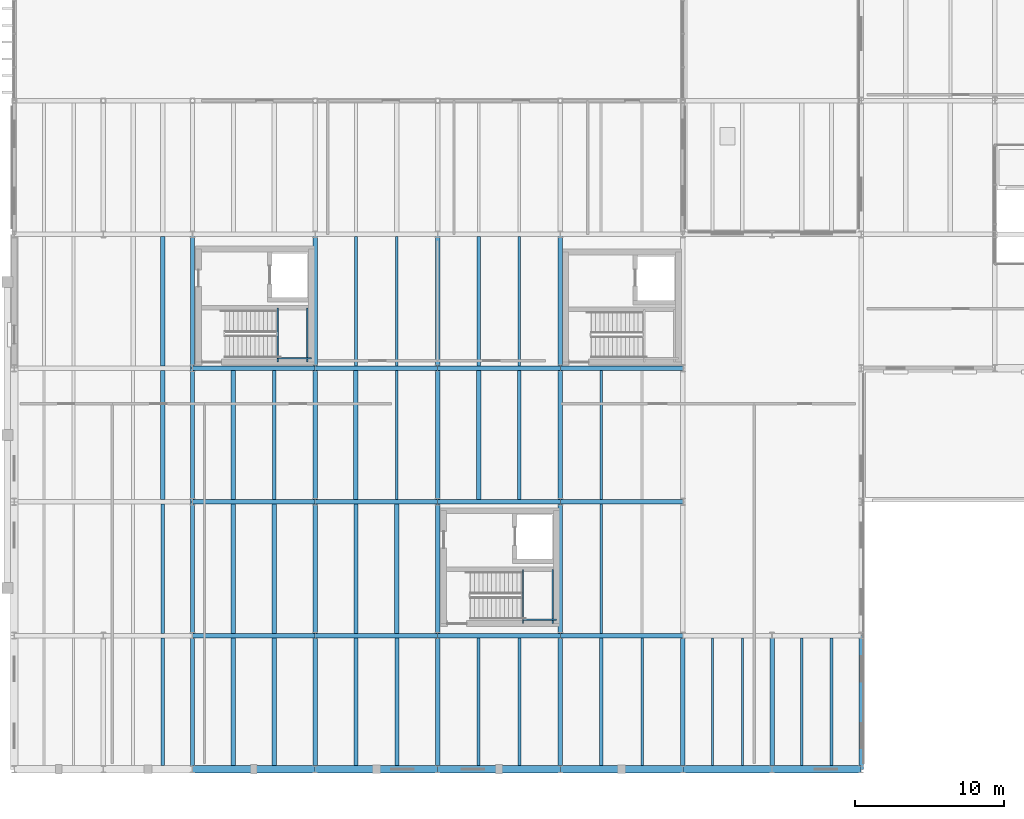
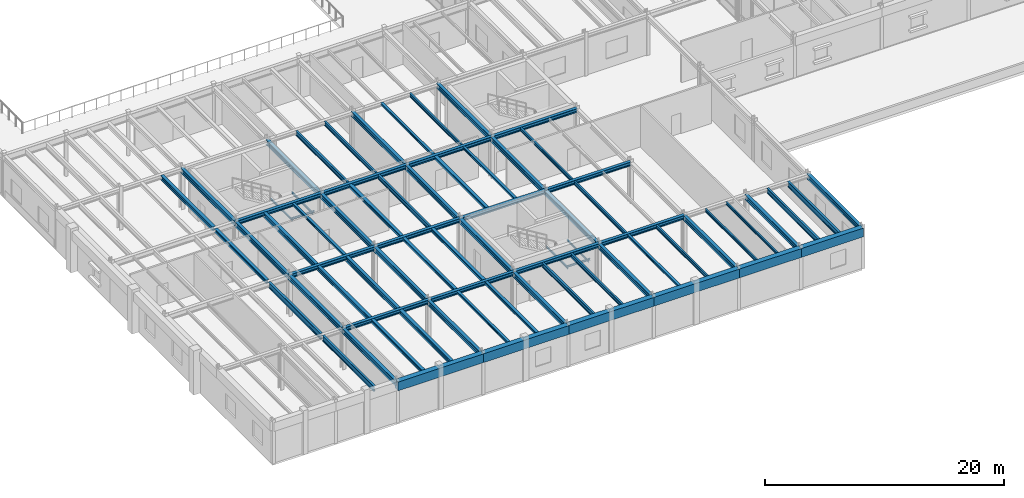
# One storey, part 20 of 64: 75 beams.
"""IFC4 building model written with IfcOpenShell, lengths in metres."""

from ifc_helpers import new_model, si_unit, direction, frame, origin, origin_2d, place, context, subcontext, project, spatial, rectangle, i_section, extrude, material, material_profile, profile_set, type_object, element, save


model = new_model("IFC4")

# Units and contexts
model_context = context("Model", 3, precision=1e-05, world=origin(), true_north=direction((0.0, 1.0)))
body_context = subcontext(model_context, "Body", "Model", "MODEL_VIEW")
ifc_project = project(units=[si_unit("LENGTHUNIT", "METRE"), si_unit("AREAUNIT", "SQUARE_METRE"), si_unit("VOLUMEUNIT", "CUBIC_METRE"), si_unit("PLANEANGLEUNIT", "RADIAN"), si_unit("MASSUNIT", "GRAM", prefix="KILO")], contexts=[model_context])

# Site, building, storey
site_placement = place(None, origin())
site = spatial("IfcSite", under=ifc_project, at=site_placement, CompositionType="ELEMENT")
building_placement = place(site_placement, origin())
building = spatial("IfcBuilding", under=site, at=building_placement, Name="Montealbar Specialist Clinic", CompositionType="ELEMENT")
storey_placement = place(building_placement, frame((0.0, 0.0, 5.10009765625)))
storey = spatial("IfcBuildingStorey", under=building, at=storey_placement, Name="L01", CompositionType="ELEMENT", Elevation=5.10009765625)

# Beams
ifc_material_1 = material(Name="Precast concrete C40/50", Category="concrete")
ifc_material_profile_1 = material_profile(ifc_material_1, rectangle(XDim=0.5, YDim=0.89990234375, at=origin_2d()), Name="PRECAST CORNICE 500x900", Category="concrete")
ifc_profile_set_1 = profile_set([ifc_material_profile_1], Name="Precast concrete C40/50")
beam_type_1 = type_object("IfcBeamType", Name="BM-CORNICE-PM900-EXT", PredefinedType="SPANDREL", material=ifc_profile_set_1)
for number, where, z_axis, x_axis, name in (
    (1, (66.0, 0.0, 3.72998046875), (1.0, 0.0, 0.0), (0.0, 1.0, 0.0), "Postmodern Entablature Cornice L01 Y=0.0 X=66.0-74.2"),
    (2, (74.25, 0.0, 3.72998046875), (1.0, 0.0, 0.0), (0.0, 1.0, 0.0), "Postmodern Entablature Cornice L01 Y=0.0 X=74.2-82.5"),
    (3, (82.5, 0.0, 3.72998046875), (1.0, 0.0, 0.0), (0.0, 1.0, 0.0), "Postmodern Entablature Cornice L01 Y=0.0 X=82.5-90.8"),
    (4, (90.75, 0.0, 3.72998046875), (1.0, 0.0, 0.0), (0.0, 1.0, 0.0), "Postmodern Entablature Cornice L01 Y=0.0 X=90.8-99.0"),
):
    element("IfcBeam", number, at=place(storey_placement, frame(where, z_axis=z_axis, x_axis=x_axis)), inside=storey, type_object=beam_type_1, Name=name, PredefinedType="SPANDREL", context=body_context, shape_type="SweptSolid", body=[
        extrude(rectangle(XDim=0.5, YDim=0.89990234375, at=origin_2d()), origin(), (0.0, 0.0, 1.0), 8.25),
    ])
for number, where, z_axis, x_axis, name in (
    (5, (99.0, 0.0, 3.72998046875), (1.0, 0.0, 0.0), (0.0, 1.0, 0.0), "Postmodern Entablature Cornice L01 Y=0.0 X=99.0-105.0"),
    (6, (105.0, 0.0, 3.72998046875), (1.0, 0.0, 0.0), (0.0, 1.0, 0.0), "Postmodern Entablature Cornice L01 Y=0.0 X=105.0-111.0"),
):
    element("IfcBeam", number, at=place(storey_placement, frame(where, z_axis=z_axis, x_axis=x_axis)), inside=storey, type_object=beam_type_1, Name=name, PredefinedType="SPANDREL", context=body_context, shape_type="SweptSolid", body=[
        extrude(rectangle(XDim=0.5, YDim=0.89990234375, at=origin_2d()), origin(), (0.0, 0.0, 1.0), 6.0),
    ])
ifc_material_2 = material(Name="Steel S355", Category="steel")
ifc_material_profile_2 = material_profile(ifc_material_2, i_section(OverallWidth=0.300048828125, OverallDepth=0.39990234375, WebThickness=0.013427734375, FlangeThickness=0.02392578125, FilletRadius=0.027099609375, at=origin_2d()), Name="HEB 400", Category="steel")
ifc_profile_set_2 = profile_set([ifc_material_profile_2], Name="Steel S355")
beam_type_2 = type_object("IfcBeamType", Name="BM-GIRD-HEB400", PredefinedType="BEAM", material=ifc_profile_set_2)
for number, where, z_axis, x_axis, name in (
    (7, (66.0, 9.0, 3.97998046875), (1.0, 0.0, 0.0), (0.0, 1.0, 0.0), "Beam GX-L01-660-742-90"),
    (8, (74.25, 9.0, 3.97998046875), (1.0, 0.0, 0.0), (0.0, 1.0, 0.0), "Beam GX-L01-742-825-90"),
    (9, (82.5, 9.0, 3.97998046875), (1.0, 0.0, 0.0), (0.0, 1.0, 0.0), "Beam GX-L01-825-908-90"),
    (10, (90.75, 9.0, 3.97998046875), (1.0, 0.0, 0.0), (0.0, 1.0, 0.0), "Beam GX-L01-908-990-90"),
    (11, (66.0, 18.0, 3.97998046875), (1.0, 0.0, 0.0), (0.0, 1.0, 0.0), "Beam GX-L01-660-742-180"),
    (12, (74.25, 18.0, 3.97998046875), (1.0, 0.0, 0.0), (0.0, 1.0, 0.0), "Beam GX-L01-742-825-180"),
    (13, (82.5, 18.0, 3.97998046875), (1.0, 0.0, 0.0), (0.0, 1.0, 0.0), "Beam GX-L01-825-908-180"),
    (14, (90.75, 18.0, 3.97998046875), (1.0, 0.0, 0.0), (0.0, 1.0, 0.0), "Beam GX-L01-908-990-180"),
    (15, (66.0, 27.0, 3.97998046875), (1.0, 0.0, 0.0), (0.0, 1.0, 0.0), "Beam GX-L01-660-742-270"),
    (16, (74.25, 27.0, 3.97998046875), (1.0, 0.0, 0.0), (0.0, 1.0, 0.0), "Beam GX-L01-742-825-270"),
    (17, (82.5, 27.0, 3.97998046875), (1.0, 0.0, 0.0), (0.0, 1.0, 0.0), "Beam GX-L01-825-908-270"),
    (18, (90.75, 27.0, 3.97998046875), (1.0, 0.0, 0.0), (0.0, 1.0, 0.0), "Beam GX-L01-908-990-270"),
):
    element("IfcBeam", number, at=place(storey_placement, frame(where, z_axis=z_axis, x_axis=x_axis)), inside=storey, type_object=beam_type_2, Name=name, PredefinedType="BEAM", context=body_context, shape_type="SweptSolid", body=[
        extrude(i_section(OverallWidth=0.300048828125, OverallDepth=0.39990234375, WebThickness=0.013427734375, FlangeThickness=0.02392578125, FilletRadius=0.027099609375, at=origin_2d()), origin(), (0.0, 0.0, 1.0), 8.25),
    ])
ifc_material_profile_3 = material_profile(ifc_material_2, i_section(OverallWidth=0.300048828125, OverallDepth=0.5, WebThickness=0.014404296875, FlangeThickness=0.028076171875, FilletRadius=0.027099609375, at=origin_2d()), Name="HEB 500", Category="steel")
ifc_profile_set_3 = profile_set([ifc_material_profile_3], Name="Steel S355")
beam_type_3 = type_object("IfcBeamType", Name="BM-GIRD-HEB500", PredefinedType="BEAM", material=ifc_profile_set_3)
for number, where, z_axis, x_axis, name in (
    (19, (66.0, 0.0, 3.929931640625), (0.0, 1.0, 0.0), (-1.0, 0.0, 0.0), "Beam GY-L01-660-0-90"),
    (20, (66.0, 9.0, 3.929931640625), (0.0, 1.0, 0.0), (-1.0, 0.0, 0.0), "Beam GY-L01-660-90-180"),
    (21, (66.0, 18.0, 3.929931640625), (0.0, 1.0, 0.0), (-1.0, 0.0, 0.0), "Beam GY-L01-660-180-270"),
    (22, (66.0, 27.0, 3.929931640625), (0.0, 1.0, 0.0), (-1.0, 0.0, 0.0), "Beam GY-L01-660-270-360"),
    (23, (74.25, 0.0, 3.929931640625), (0.0, 1.0, 0.0), (-1.0, 0.0, 0.0), "Beam GY-L01-742-0-90"),
    (24, (74.25, 9.0, 3.929931640625), (0.0, 1.0, 0.0), (-1.0, 0.0, 0.0), "Beam GY-L01-742-90-180"),
    (25, (74.25, 18.0, 3.929931640625), (0.0, 1.0, 0.0), (-1.0, 0.0, 0.0), "Beam GY-L01-742-180-270"),
    (26, (74.25, 27.0, 3.929931640625), (0.0, 1.0, 0.0), (-1.0, 0.0, 0.0), "Beam GY-L01-742-270-360"),
    (27, (82.5, 0.0, 3.929931640625), (0.0, 1.0, 0.0), (-1.0, 0.0, 0.0), "Beam GY-L01-825-0-90"),
    (28, (82.5, 9.0, 3.929931640625), (0.0, 1.0, 0.0), (-1.0, 0.0, 0.0), "Beam GY-L01-825-90-180"),
    (29, (82.5, 18.0, 3.929931640625), (0.0, 1.0, 0.0), (-1.0, 0.0, 0.0), "Beam GY-L01-825-180-270"),
    (30, (82.5, 27.0, 3.929931640625), (0.0, 1.0, 0.0), (-1.0, 0.0, 0.0), "Beam GY-L01-825-270-360"),
    (31, (90.75, 0.0, 3.929931640625), (0.0, 1.0, 0.0), (-1.0, 0.0, 0.0), "Beam GY-L01-908-0-90"),
    (32, (90.75, 9.0, 3.929931640625), (0.0, 1.0, 0.0), (-1.0, 0.0, 0.0), "Beam GY-L01-908-90-180"),
    (33, (90.75, 18.0, 3.929931640625), (0.0, 1.0, 0.0), (-1.0, 0.0, 0.0), "Beam GY-L01-908-180-270"),
    (34, (90.75, 27.0, 3.929931640625), (0.0, 1.0, 0.0), (-1.0, 0.0, 0.0), "Beam GY-L01-908-270-360"),
    (35, (99.0, 0.0, 3.929931640625), (0.0, 1.0, 0.0), (-1.0, 0.0, 0.0), "Beam GY-L01-990-0-90"),
    (36, (105.0, 0.0, 3.929931640625), (0.0, 1.0, 0.0), (-1.0, 0.0, 0.0), "Beam GY-L01-1050-0-90"),
    (37, (111.0, 0.0, 3.929931640625), (0.0, 1.0, 0.0), (-1.0, 0.0, 0.0), "Beam GY-L01-1110-0-90"),
):
    element("IfcBeam", number, at=place(storey_placement, frame(where, z_axis=z_axis, x_axis=x_axis)), inside=storey, type_object=beam_type_3, Name=name, PredefinedType="BEAM", context=body_context, shape_type="SweptSolid", body=[
        extrude(i_section(OverallWidth=0.300048828125, OverallDepth=0.5, WebThickness=0.014404296875, FlangeThickness=0.028076171875, FilletRadius=0.027099609375, at=origin_2d()), origin(), (0.0, 0.0, 1.0), 9.0),
    ])
ifc_material_profile_4 = material_profile(ifc_material_2, i_section(OverallWidth=0.300048828125, OverallDepth=0.35009765625, WebThickness=0.010009765625, FlangeThickness=0.017578125, FilletRadius=0.027099609375, at=origin_2d()), Name="HEA 360", Category="steel")
ifc_profile_set_4 = profile_set([ifc_material_profile_4], Name="Steel S355")
beam_type_4 = type_object("IfcBeamType", Name="BM-JST-HEA360", PredefinedType="JOIST", material=ifc_profile_set_4)
beam_1_placement = place(storey_placement, frame((64.0, 18.14990234375, 4.0048828125), z_axis=(0.0, 1.0, 0.0), x_axis=(-1.0, 0.0, 0.0)))
element("IfcBeam", 38, at=beam_1_placement, inside=storey, type_object=beam_type_4, Name="Beam JST-L01-640-182-268", PredefinedType="JOIST", context=body_context, shape_type="SweptSolid", body=[
    extrude(i_section(OverallWidth=0.300048828125, OverallDepth=0.35009765625, WebThickness=0.010009765625, FlangeThickness=0.017578125, FilletRadius=0.027099609375, at=origin_2d()), origin(), (0.0, 0.0, 1.0), 8.7001953125),
])
beam_2_placement = place(storey_placement, frame((68.75, 0.25, 4.0048828125), z_axis=(0.0, 1.0, 0.0), x_axis=(-1.0, 0.0, 0.0)))
element("IfcBeam", 39, at=beam_2_placement, inside=storey, type_object=beam_type_4, Name="Beam JST-L01-688-2-88", PredefinedType="JOIST", context=body_context, shape_type="SweptSolid", body=[
    extrude(i_section(OverallWidth=0.300048828125, OverallDepth=0.35009765625, WebThickness=0.010009765625, FlangeThickness=0.017578125, FilletRadius=0.027099609375, at=origin_2d()), origin(), (0.0, 0.0, 1.0), 8.60009765625),
])
ifc_material_profile_5 = material_profile(ifc_material_2, i_section(OverallWidth=0.300048828125, OverallDepth=0.43994140625, WebThickness=0.011474609375, FlangeThickness=0.02099609375, FilletRadius=0.027099609375, at=origin_2d()), Name="HEA 450", Category="steel")
ifc_profile_set_5 = profile_set([ifc_material_profile_5], Name="Steel S355")
beam_type_5 = type_object("IfcBeamType", Name="BM-JST-HEA450", PredefinedType="JOIST", material=ifc_profile_set_5)
beam_3_placement = place(storey_placement, frame((64.0, 27.14990234375, 3.9599609375), z_axis=(0.0, 1.0, 0.0), x_axis=(-1.0, 0.0, 0.0)))
element("IfcBeam", 40, at=beam_3_placement, inside=storey, type_object=beam_type_5, Name="Beam JST-L01-640-272-358", PredefinedType="JOIST", context=body_context, shape_type="SweptSolid", body=[
    extrude(i_section(OverallWidth=0.300048828125, OverallDepth=0.43994140625, WebThickness=0.011474609375, FlangeThickness=0.02099609375, FilletRadius=0.027099609375, at=origin_2d()), origin(), (0.0, 0.0, 1.0), 8.7001953125),
])
beam_4_placement = place(storey_placement, frame((71.5, 0.25, 3.9599609375), z_axis=(0.0, 1.0, 0.0), x_axis=(-1.0, 0.0, 0.0)))
element("IfcBeam", 41, at=beam_4_placement, inside=storey, type_object=beam_type_5, Name="Beam JST-L01-715-2-88", PredefinedType="JOIST", context=body_context, shape_type="SweptSolid", body=[
    extrude(i_section(OverallWidth=0.300048828125, OverallDepth=0.43994140625, WebThickness=0.011474609375, FlangeThickness=0.02099609375, FilletRadius=0.027099609375, at=origin_2d()), origin(), (0.0, 0.0, 1.0), 8.60009765625),
])
beam_5_placement = place(storey_placement, frame((68.75, 9.14990234375, 3.9599609375), z_axis=(0.0, 1.0, 0.0), x_axis=(-1.0, 0.0, 0.0)))
element("IfcBeam", 42, at=beam_5_placement, inside=storey, type_object=beam_type_5, Name="Beam JST-L01-688-92-178", PredefinedType="JOIST", context=body_context, shape_type="SweptSolid", body=[
    extrude(i_section(OverallWidth=0.300048828125, OverallDepth=0.43994140625, WebThickness=0.011474609375, FlangeThickness=0.02099609375, FilletRadius=0.027099609375, at=origin_2d()), origin(), (0.0, 0.0, 1.0), 8.7001953125),
])
ifc_material_profile_6 = material_profile(ifc_material_2, i_section(OverallWidth=0.300048828125, OverallDepth=0.489990234375, WebThickness=0.011962890625, FlangeThickness=0.02294921875, FilletRadius=0.027099609375, at=origin_2d()), Name="HEA 500", Category="steel")
ifc_profile_set_6 = profile_set([ifc_material_profile_6], Name="Steel S355")
beam_type_6 = type_object("IfcBeamType", Name="BM-JST-HEA500", PredefinedType="JOIST", material=ifc_profile_set_6)
for number, where, z_axis, x_axis, name in (
    (43, (71.5, 9.14990234375, 3.934814453125), (0.0, 1.0, 0.0), (-1.0, 0.0, 0.0), "Beam JST-L01-715-92-178"),
    (44, (68.75, 18.14990234375, 3.934814453125), (0.0, 1.0, 0.0), (-1.0, 0.0, 0.0), "Beam JST-L01-688-182-268"),
):
    element("IfcBeam", number, at=place(storey_placement, frame(where, z_axis=z_axis, x_axis=x_axis)), inside=storey, type_object=beam_type_6, Name=name, PredefinedType="JOIST", context=body_context, shape_type="SweptSolid", body=[
        extrude(i_section(OverallWidth=0.300048828125, OverallDepth=0.489990234375, WebThickness=0.011962890625, FlangeThickness=0.02294921875, FilletRadius=0.027099609375, at=origin_2d()), origin(), (0.0, 0.0, 1.0), 8.7001953125),
    ])
ifc_material_profile_7 = material_profile(ifc_material_2, i_section(OverallWidth=0.239990234375, OverallDepth=0.239990234375, WebThickness=0.010009765625, FlangeThickness=0.01708984375, FilletRadius=0.02099609375, at=origin_2d()), Name="HEB 240", Category="steel")
ifc_profile_set_7 = profile_set([ifc_material_profile_7], Name="Steel S355")
beam_type_7 = type_object("IfcBeamType", Name="BM-JST-HEB240", PredefinedType="JOIST", material=ifc_profile_set_7)
beam_6_placement = place(storey_placement, frame((71.5, 18.14990234375, 4.059814453125), z_axis=(0.0, 1.0, 0.0), x_axis=(-1.0, 0.0, 0.0)))
element("IfcBeam", 45, at=beam_6_placement, inside=storey, type_object=beam_type_7, Name="Beam JST-L01-715-182-268", PredefinedType="JOIST", context=body_context, shape_type="SweptSolid", body=[
    extrude(i_section(OverallWidth=0.239990234375, OverallDepth=0.239990234375, WebThickness=0.010009765625, FlangeThickness=0.01708984375, FilletRadius=0.02099609375, at=origin_2d()), origin(), (0.0, 0.0, 1.0), 8.7001953125),
])
beam_7_placement = place(storey_placement, frame((77.0, 0.25, 4.059814453125), z_axis=(0.0, 1.0, 0.0), x_axis=(-1.0, 0.0, 0.0)))
element("IfcBeam", 46, at=beam_7_placement, inside=storey, type_object=beam_type_7, Name="Beam JST-L01-770-2-88", PredefinedType="JOIST", context=body_context, shape_type="SweptSolid", body=[
    extrude(i_section(OverallWidth=0.239990234375, OverallDepth=0.239990234375, WebThickness=0.010009765625, FlangeThickness=0.01708984375, FilletRadius=0.02099609375, at=origin_2d()), origin(), (0.0, 0.0, 1.0), 8.60009765625),
])
ifc_material_profile_8 = material_profile(ifc_material_2, i_section(OverallWidth=0.280029296875, OverallDepth=0.280029296875, WebThickness=0.010498046875, FlangeThickness=0.01806640625, FilletRadius=0.02392578125, at=origin_2d()), Name="HEB 280", Category="steel")
ifc_profile_set_8 = profile_set([ifc_material_profile_8], Name="Steel S355")
beam_type_8 = type_object("IfcBeamType", Name="BM-JST-HEB280", PredefinedType="JOIST", material=ifc_profile_set_8)
beam_8_placement = place(storey_placement, frame((79.75, 0.25, 4.039794921875), z_axis=(0.0, 1.0, 0.0), x_axis=(-1.0, 0.0, 0.0)))
element("IfcBeam", 47, at=beam_8_placement, inside=storey, type_object=beam_type_8, Name="Beam JST-L01-798-2-88", PredefinedType="JOIST", context=body_context, shape_type="SweptSolid", body=[
    extrude(i_section(OverallWidth=0.280029296875, OverallDepth=0.280029296875, WebThickness=0.010498046875, FlangeThickness=0.01806640625, FilletRadius=0.02392578125, at=origin_2d()), origin(), (0.0, 0.0, 1.0), 8.60009765625),
])
beam_9_placement = place(storey_placement, frame((77.0, 9.14990234375, 4.039794921875), z_axis=(0.0, 1.0, 0.0), x_axis=(-1.0, 0.0, 0.0)))
element("IfcBeam", 48, at=beam_9_placement, inside=storey, type_object=beam_type_8, Name="Beam JST-L01-770-92-178", PredefinedType="JOIST", context=body_context, shape_type="SweptSolid", body=[
    extrude(i_section(OverallWidth=0.280029296875, OverallDepth=0.280029296875, WebThickness=0.010498046875, FlangeThickness=0.01806640625, FilletRadius=0.02392578125, at=origin_2d()), origin(), (0.0, 0.0, 1.0), 8.7001953125),
])
ifc_material_profile_9 = material_profile(ifc_material_2, i_section(OverallWidth=0.300048828125, OverallDepth=0.320068359375, WebThickness=0.011474609375, FlangeThickness=0.0205078125, FilletRadius=0.027099609375, at=origin_2d()), Name="HEB 320", Category="steel")
ifc_profile_set_9 = profile_set([ifc_material_profile_9], Name="Steel S355")
beam_type_9 = type_object("IfcBeamType", Name="BM-JST-HEB320", PredefinedType="JOIST", material=ifc_profile_set_9)
for number, where, z_axis, x_axis, name in (
    (49, (79.75, 9.14990234375, 4.02001953125), (0.0, 1.0, 0.0), (-1.0, 0.0, 0.0), "Beam JST-L01-798-92-178"),
    (50, (77.0, 18.14990234375, 4.02001953125), (0.0, 1.0, 0.0), (-1.0, 0.0, 0.0), "Beam JST-L01-770-182-268"),
):
    element("IfcBeam", number, at=place(storey_placement, frame(where, z_axis=z_axis, x_axis=x_axis)), inside=storey, type_object=beam_type_9, Name=name, PredefinedType="JOIST", context=body_context, shape_type="SweptSolid", body=[
        extrude(i_section(OverallWidth=0.300048828125, OverallDepth=0.320068359375, WebThickness=0.011474609375, FlangeThickness=0.0205078125, FilletRadius=0.027099609375, at=origin_2d()), origin(), (0.0, 0.0, 1.0), 8.7001953125),
    ])
ifc_material_profile_10 = material_profile(ifc_material_2, i_section(OverallWidth=0.135009765625, OverallDepth=0.27001953125, WebThickness=0.006591796875, FlangeThickness=0.01025390625, FilletRadius=0.014892578125, at=origin_2d()), Name="IPE 270", Category="steel")
ifc_profile_set_10 = profile_set([ifc_material_profile_10], Name="Steel S355")
beam_type_10 = type_object("IfcBeamType", Name="BM-JST-IPE270", PredefinedType="JOIST", material=ifc_profile_set_10)
beam_10_placement = place(storey_placement, frame((103.0, 0.25, 4.044921875), z_axis=(0.0, 1.0, 0.0), x_axis=(-1.0, 0.0, 0.0)))
element("IfcBeam", 51, at=beam_10_placement, inside=storey, type_object=beam_type_10, Name="Beam JST-L01-1030-2-88", PredefinedType="JOIST", context=body_context, shape_type="SweptSolid", body=[
    extrude(i_section(OverallWidth=0.135009765625, OverallDepth=0.27001953125, WebThickness=0.006591796875, FlangeThickness=0.01025390625, FilletRadius=0.014892578125, at=origin_2d()), origin(), (0.0, 0.0, 1.0), 8.60009765625),
])
ifc_material_profile_11 = material_profile(ifc_material_2, i_section(OverallWidth=0.14990234375, OverallDepth=0.300048828125, WebThickness=0.007080078125, FlangeThickness=0.0107421875, FilletRadius=0.014892578125, at=origin_2d()), Name="IPE 300", Category="steel")
ifc_profile_set_11 = profile_set([ifc_material_profile_11], Name="Steel S355")
beam_type_11 = type_object("IfcBeamType", Name="BM-JST-IPE300", PredefinedType="JOIST", material=ifc_profile_set_11)
beam_11_placement = place(storey_placement, frame((101.0, 0.25, 4.02978515625), z_axis=(0.0, 1.0, 0.0), x_axis=(-1.0, 0.0, 0.0)))
element("IfcBeam", 52, at=beam_11_placement, inside=storey, type_object=beam_type_11, Name="Beam JST-L01-1010-2-88", PredefinedType="JOIST", context=body_context, shape_type="SweptSolid", body=[
    extrude(i_section(OverallWidth=0.14990234375, OverallDepth=0.300048828125, WebThickness=0.007080078125, FlangeThickness=0.0107421875, FilletRadius=0.014892578125, at=origin_2d()), origin(), (0.0, 0.0, 1.0), 8.60009765625),
])
ifc_material_profile_12 = material_profile(ifc_material_2, i_section(OverallWidth=0.159912109375, OverallDepth=0.330078125, WebThickness=0.007568359375, FlangeThickness=0.011474609375, FilletRadius=0.01806640625, at=origin_2d()), Name="IPE 330", Category="steel")
ifc_profile_set_12 = profile_set([ifc_material_profile_12], Name="Steel S355")
beam_type_12 = type_object("IfcBeamType", Name="BM-JST-IPE330", PredefinedType="JOIST", material=ifc_profile_set_12)
beam_12_placement = place(storey_placement, frame((93.5, 18.14990234375, 4.014892578125), z_axis=(0.0, 1.0, 0.0), x_axis=(-1.0, 0.0, 0.0)))
element("IfcBeam", 53, at=beam_12_placement, inside=storey, type_object=beam_type_12, Name="Beam JST-L01-935-182-268", PredefinedType="JOIST", context=body_context, shape_type="SweptSolid", body=[
    extrude(i_section(OverallWidth=0.159912109375, OverallDepth=0.330078125, WebThickness=0.007568359375, FlangeThickness=0.011474609375, FilletRadius=0.01806640625, at=origin_2d()), origin(), (0.0, 0.0, 1.0), 8.7001953125),
])
ifc_material_profile_13 = material_profile(ifc_material_2, i_section(OverallWidth=0.169921875, OverallDepth=0.360107421875, WebThickness=0.008056640625, FlangeThickness=0.0126953125, FilletRadius=0.01806640625, at=origin_2d()), Name="IPE 360", Category="steel")
ifc_profile_set_13 = profile_set([ifc_material_profile_13], Name="Steel S355")
beam_type_13 = type_object("IfcBeamType", Name="BM-JST-IPE360", PredefinedType="JOIST", material=ifc_profile_set_13)
beam_13_placement = place(storey_placement, frame((88.0, 27.14990234375, 4.0), z_axis=(0.0, 1.0, 0.0), x_axis=(-1.0, 0.0, 0.0)))
element("IfcBeam", 54, at=beam_13_placement, inside=storey, type_object=beam_type_13, Name="Beam JST-L01-880-272-358", PredefinedType="JOIST", context=body_context, shape_type="SweptSolid", body=[
    extrude(i_section(OverallWidth=0.169921875, OverallDepth=0.360107421875, WebThickness=0.008056640625, FlangeThickness=0.0126953125, FilletRadius=0.01806640625, at=origin_2d()), origin(), (0.0, 0.0, 1.0), 8.7001953125),
])
beam_14_placement = place(storey_placement, frame((96.25, 0.25, 4.0), z_axis=(0.0, 1.0, 0.0), x_axis=(-1.0, 0.0, 0.0)))
element("IfcBeam", 55, at=beam_14_placement, inside=storey, type_object=beam_type_13, Name="Beam JST-L01-962-2-88", PredefinedType="JOIST", context=body_context, shape_type="SweptSolid", body=[
    extrude(i_section(OverallWidth=0.169921875, OverallDepth=0.360107421875, WebThickness=0.008056640625, FlangeThickness=0.0126953125, FilletRadius=0.01806640625, at=origin_2d()), origin(), (0.0, 0.0, 1.0), 8.60009765625),
])
beam_15_placement = place(storey_placement, frame((93.5, 9.14990234375, 4.0), z_axis=(0.0, 1.0, 0.0), x_axis=(-1.0, 0.0, 0.0)))
element("IfcBeam", 56, at=beam_15_placement, inside=storey, type_object=beam_type_13, Name="Beam JST-L01-935-92-178", PredefinedType="JOIST", context=body_context, shape_type="SweptSolid", body=[
    extrude(i_section(OverallWidth=0.169921875, OverallDepth=0.360107421875, WebThickness=0.008056640625, FlangeThickness=0.0126953125, FilletRadius=0.01806640625, at=origin_2d()), origin(), (0.0, 0.0, 1.0), 8.7001953125),
])
ifc_material_profile_14 = material_profile(ifc_material_2, i_section(OverallWidth=0.199951171875, OverallDepth=0.5, WebThickness=0.01025390625, FlangeThickness=0.01611328125, FilletRadius=0.02099609375, at=origin_2d()), Name="IPE 500", Category="steel")
ifc_profile_set_14 = profile_set([ifc_material_profile_14], Name="Steel S355")
beam_type_14 = type_object("IfcBeamType", Name="BM-JST-IPE500", PredefinedType="JOIST", material=ifc_profile_set_14)
beam_16_placement = place(storey_placement, frame((107.0, 0.25, 3.929931640625), z_axis=(0.0, 1.0, 0.0), x_axis=(-1.0, 0.0, 0.0)))
element("IfcBeam", 57, at=beam_16_placement, inside=storey, type_object=beam_type_14, Name="Beam JST-L01-1070-2-88", PredefinedType="JOIST", context=body_context, shape_type="SweptSolid", body=[
    extrude(i_section(OverallWidth=0.199951171875, OverallDepth=0.5, WebThickness=0.01025390625, FlangeThickness=0.01611328125, FilletRadius=0.02099609375, at=origin_2d()), origin(), (0.0, 0.0, 1.0), 8.60009765625),
])
ifc_material_profile_15 = material_profile(ifc_material_2, i_section(OverallWidth=0.2099609375, OverallDepth=0.550048828125, WebThickness=0.010986328125, FlangeThickness=0.01708984375, FilletRadius=0.02392578125, at=origin_2d()), Name="IPE 550", Category="steel")
ifc_profile_set_15 = profile_set([ifc_material_profile_15], Name="Steel S355")
beam_type_15 = type_object("IfcBeamType", Name="BM-JST-IPE550", PredefinedType="JOIST", material=ifc_profile_set_15)
for number, where, z_axis, x_axis, name in (
    (58, (64.0, 0.25, 3.90478515625), (0.0, 1.0, 0.0), (-1.0, 0.0, 0.0), "Beam JST-L01-640-2-88"),
    (59, (109.0, 0.25, 3.90478515625), (0.0, 1.0, 0.0), (-1.0, 0.0, 0.0), "Beam JST-L01-1090-2-88"),
):
    element("IfcBeam", number, at=place(storey_placement, frame(where, z_axis=z_axis, x_axis=x_axis)), inside=storey, type_object=beam_type_15, Name=name, PredefinedType="JOIST", context=body_context, shape_type="SweptSolid", body=[
        extrude(i_section(OverallWidth=0.2099609375, OverallDepth=0.550048828125, WebThickness=0.010986328125, FlangeThickness=0.01708984375, FilletRadius=0.02392578125, at=origin_2d()), origin(), (0.0, 0.0, 1.0), 8.60009765625),
    ])
ifc_material_profile_16 = material_profile(ifc_material_2, i_section(OverallWidth=0.219970703125, OverallDepth=0.60009765625, WebThickness=0.011962890625, FlangeThickness=0.01904296875, FilletRadius=0.02392578125, at=origin_2d()), Name="IPE 600", Category="steel")
ifc_profile_set_16 = profile_set([ifc_material_profile_16], Name="Steel S355")
beam_type_16 = type_object("IfcBeamType", Name="BM-JST-IPE600", PredefinedType="JOIST", material=ifc_profile_set_16)
beam_17_placement = place(storey_placement, frame((64.0, 9.14990234375, 3.8798828125), z_axis=(0.0, 1.0, 0.0), x_axis=(-1.0, 0.0, 0.0)))
element("IfcBeam", 60, at=beam_17_placement, inside=storey, type_object=beam_type_16, Name="Beam JST-L01-640-92-178", PredefinedType="JOIST", context=body_context, shape_type="SweptSolid", body=[
    extrude(i_section(OverallWidth=0.219970703125, OverallDepth=0.60009765625, WebThickness=0.011962890625, FlangeThickness=0.01904296875, FilletRadius=0.02392578125, at=origin_2d()), origin(), (0.0, 0.0, 1.0), 8.7001953125),
])
ifc_material_profile_17 = material_profile(ifc_material_2, i_section(OverallWidth=0.10009765625, OverallDepth=0.199951171875, WebThickness=0.005615234375, FlangeThickness=0.008544921875, FilletRadius=0.011962890625, at=origin_2d()), Name="IPE 200", Category="steel")
ifc_profile_set_17 = profile_set([ifc_material_profile_17], Name="Steel S355")
beam_type_17 = type_object("IfcBeamType", Name="BM-LINT-IPE200", PredefinedType="LINTEL", material=ifc_profile_set_17)
for number, where, z_axis, x_axis, name in (
    (61, (71.739990234375, 27.39990234375, 1.949951171875), (0.0, 1.0, 0.0), (-1.0, 0.0, 0.0), "Core C3 Stair Landing Beam L01 W"),
    (62, (73.72998046875, 27.39990234375, 1.949951171875), (0.0, 1.0, 0.0), (-1.0, 0.0, 0.0), "Core C3 Stair Landing Beam L01 E"),
):
    element("IfcBeam", number, at=place(storey_placement, frame(where, z_axis=z_axis, x_axis=x_axis)), inside=storey, type_object=beam_type_17, Name=name, PredefinedType="LINTEL", context=body_context, shape_type="SweptSolid", body=[
        extrude(i_section(OverallWidth=0.10009765625, OverallDepth=0.199951171875, WebThickness=0.005615234375, FlangeThickness=0.008544921875, FilletRadius=0.011962890625, at=origin_2d()), origin(), (0.0, 0.0, 1.0), 3.650146484375),
    ])
beam_18_placement = place(storey_placement, frame((71.739990234375, 27.64990234375, 1.949951171875), z_axis=(1.0, 0.0, 0.0), x_axis=(0.0, 1.0, 0.0)))
element("IfcBeam", 63, at=beam_18_placement, inside=storey, type_object=beam_type_17, Name="Core C3 Stair Landing Tie Beam L01", PredefinedType="LINTEL", context=body_context, shape_type="SweptSolid", body=[
    extrude(i_section(OverallWidth=0.10009765625, OverallDepth=0.199951171875, WebThickness=0.005615234375, FlangeThickness=0.008544921875, FilletRadius=0.011962890625, at=origin_2d()), origin(), (0.0, 0.0, 1.0), 2.260009765625),
])
for number, where, z_axis, x_axis, name in (
    (64, (88.239990234375, 9.800048828125, 1.949951171875), (0.0, 1.0, 0.0), (-1.0, 0.0, 0.0), "Core C4 Stair Landing Beam L01 W"),
    (65, (90.22998046875, 9.800048828125, 1.949951171875), (0.0, 1.0, 0.0), (-1.0, 0.0, 0.0), "Core C4 Stair Landing Beam L01 E"),
):
    element("IfcBeam", number, at=place(storey_placement, frame(where, z_axis=z_axis, x_axis=x_axis)), inside=storey, type_object=beam_type_17, Name=name, PredefinedType="LINTEL", context=body_context, shape_type="SweptSolid", body=[
        extrude(i_section(OverallWidth=0.10009765625, OverallDepth=0.199951171875, WebThickness=0.005615234375, FlangeThickness=0.008544921875, FilletRadius=0.011962890625, at=origin_2d()), origin(), (0.0, 0.0, 1.0), 3.64990234375),
    ])
beam_19_placement = place(storey_placement, frame((88.239990234375, 10.050048828125, 1.949951171875), z_axis=(1.0, 0.0, 0.0), x_axis=(0.0, 1.0, 0.0)))
element("IfcBeam", 66, at=beam_19_placement, inside=storey, type_object=beam_type_17, Name="Core C4 Stair Landing Tie Beam L01", PredefinedType="LINTEL", context=body_context, shape_type="SweptSolid", body=[
    extrude(i_section(OverallWidth=0.10009765625, OverallDepth=0.199951171875, WebThickness=0.005615234375, FlangeThickness=0.008544921875, FilletRadius=0.011962890625, at=origin_2d()), origin(), (0.0, 0.0, 1.0), 2.260009765625),
])
ifc_material_profile_18 = material_profile(ifc_material_2, i_section(OverallWidth=0.179931640625, OverallDepth=0.39990234375, WebThickness=0.008544921875, FlangeThickness=0.013427734375, FilletRadius=0.02099609375, at=origin_2d()), Name="IPE 400", Category="steel")
ifc_profile_set_18 = profile_set([ifc_material_profile_18], Name="Steel S355")
beam_type_18 = type_object("IfcBeamType", Name="BM-SEC-IPE400", PredefinedType="BEAM", material=ifc_profile_set_18)
beam_20_placement = place(storey_placement, frame((79.75, 27.14990234375, 3.97998046875), z_axis=(0.0, 1.0, 0.0), x_axis=(-1.0, 0.0, 0.0)))
element("IfcBeam", 67, at=beam_20_placement, inside=storey, type_object=beam_type_18, Name="Beam JST-L01-798-272-358", PredefinedType="BEAM", context=body_context, shape_type="SweptSolid", body=[
    extrude(i_section(OverallWidth=0.179931640625, OverallDepth=0.39990234375, WebThickness=0.008544921875, FlangeThickness=0.013427734375, FilletRadius=0.02099609375, at=origin_2d()), origin(), (0.0, 0.0, 1.0), 8.7001953125),
])
beam_21_placement = place(storey_placement, frame((88.0, 0.25, 3.97998046875), z_axis=(0.0, 1.0, 0.0), x_axis=(-1.0, 0.0, 0.0)))
element("IfcBeam", 68, at=beam_21_placement, inside=storey, type_object=beam_type_18, Name="Beam JST-L01-880-2-88", PredefinedType="BEAM", context=body_context, shape_type="SweptSolid", body=[
    extrude(i_section(OverallWidth=0.179931640625, OverallDepth=0.39990234375, WebThickness=0.008544921875, FlangeThickness=0.013427734375, FilletRadius=0.02099609375, at=origin_2d()), origin(), (0.0, 0.0, 1.0), 8.60009765625),
])
ifc_material_profile_19 = material_profile(ifc_material_2, i_section(OverallWidth=0.18994140625, OverallDepth=0.449951171875, WebThickness=0.009521484375, FlangeThickness=0.0146484375, FilletRadius=0.02099609375, at=origin_2d()), Name="IPE 450", Category="steel")
ifc_profile_set_19 = profile_set([ifc_material_profile_19], Name="Steel S355")
beam_type_19 = type_object("IfcBeamType", Name="BM-SEC-IPE450", PredefinedType="BEAM", material=ifc_profile_set_19)
for number, where, z_axis, x_axis, name in (
    (69, (79.75, 18.14990234375, 3.954833984375), (0.0, 1.0, 0.0), (-1.0, 0.0, 0.0), "Beam JST-L01-798-182-268"),
    (70, (77.0, 27.14990234375, 3.954833984375), (0.0, 1.0, 0.0), (-1.0, 0.0, 0.0), "Beam JST-L01-770-272-358"),
):
    element("IfcBeam", number, at=place(storey_placement, frame(where, z_axis=z_axis, x_axis=x_axis)), inside=storey, type_object=beam_type_19, Name=name, PredefinedType="BEAM", context=body_context, shape_type="SweptSolid", body=[
        extrude(i_section(OverallWidth=0.18994140625, OverallDepth=0.449951171875, WebThickness=0.009521484375, FlangeThickness=0.0146484375, FilletRadius=0.02099609375, at=origin_2d()), origin(), (0.0, 0.0, 1.0), 8.7001953125),
    ])
beam_22_placement = place(storey_placement, frame((85.25, 0.25, 3.954833984375), z_axis=(0.0, 1.0, 0.0), x_axis=(-1.0, 0.0, 0.0)))
element("IfcBeam", 71, at=beam_22_placement, inside=storey, type_object=beam_type_19, Name="Beam JST-L01-852-2-88", PredefinedType="BEAM", context=body_context, shape_type="SweptSolid", body=[
    extrude(i_section(OverallWidth=0.18994140625, OverallDepth=0.449951171875, WebThickness=0.009521484375, FlangeThickness=0.0146484375, FilletRadius=0.02099609375, at=origin_2d()), origin(), (0.0, 0.0, 1.0), 8.60009765625),
])
ifc_material_profile_20 = material_profile(ifc_material_2, i_section(OverallWidth=0.239990234375, OverallDepth=0.22998046875, WebThickness=0.007568359375, FlangeThickness=0.011962890625, FilletRadius=0.02099609375, at=origin_2d()), Name="HEA 240", Category="steel")
ifc_profile_set_20 = profile_set([ifc_material_profile_20], Name="Steel S355")
beam_type_20 = type_object("IfcBeamType", Name="BM-SPAND-HEA240", PredefinedType="SPANDREL", material=ifc_profile_set_20)
for number, where, z_axis, x_axis, name in (
    (72, (88.0, 18.14990234375, 4.06494140625), (0.0, 1.0, 0.0), (-1.0, 0.0, 0.0), "Beam JST-L01-880-182-268"),
    (73, (85.25, 27.14990234375, 4.06494140625), (0.0, 1.0, 0.0), (-1.0, 0.0, 0.0), "Beam JST-L01-852-272-358"),
):
    element("IfcBeam", number, at=place(storey_placement, frame(where, z_axis=z_axis, x_axis=x_axis)), inside=storey, type_object=beam_type_20, Name=name, PredefinedType="SPANDREL", context=body_context, shape_type="SweptSolid", body=[
        extrude(i_section(OverallWidth=0.239990234375, OverallDepth=0.22998046875, WebThickness=0.007568359375, FlangeThickness=0.011962890625, FilletRadius=0.02099609375, at=origin_2d()), origin(), (0.0, 0.0, 1.0), 8.7001953125),
    ])
beam_23_placement = place(storey_placement, frame((93.5, 0.25, 4.06494140625), z_axis=(0.0, 1.0, 0.0), x_axis=(-1.0, 0.0, 0.0)))
element("IfcBeam", 74, at=beam_23_placement, inside=storey, type_object=beam_type_20, Name="Beam JST-L01-935-2-88", PredefinedType="SPANDREL", context=body_context, shape_type="SweptSolid", body=[
    extrude(i_section(OverallWidth=0.239990234375, OverallDepth=0.22998046875, WebThickness=0.007568359375, FlangeThickness=0.011962890625, FilletRadius=0.02099609375, at=origin_2d()), origin(), (0.0, 0.0, 1.0), 8.60009765625),
])
ifc_material_profile_21 = material_profile(ifc_material_2, i_section(OverallWidth=0.300048828125, OverallDepth=0.2900390625, WebThickness=0.008544921875, FlangeThickness=0.013916015625, FilletRadius=0.027099609375, at=origin_2d()), Name="HEA 300", Category="steel")
ifc_profile_set_21 = profile_set([ifc_material_profile_21], Name="Steel S355")
beam_type_21 = type_object("IfcBeamType", Name="BM-SPAND-HEA300", PredefinedType="SPANDREL", material=ifc_profile_set_21)
beam_24_placement = place(storey_placement, frame((85.25, 18.14990234375, 4.034912109375), z_axis=(0.0, 1.0, 0.0), x_axis=(-1.0, 0.0, 0.0)))
element("IfcBeam", 75, at=beam_24_placement, inside=storey, type_object=beam_type_21, Name="Beam JST-L01-852-182-268", PredefinedType="SPANDREL", context=body_context, shape_type="SweptSolid", body=[
    extrude(i_section(OverallWidth=0.300048828125, OverallDepth=0.2900390625, WebThickness=0.008544921875, FlangeThickness=0.013916015625, FilletRadius=0.027099609375, at=origin_2d()), origin(), (0.0, 0.0, 1.0), 8.7001953125),
])

save(model, "model.ifc")
